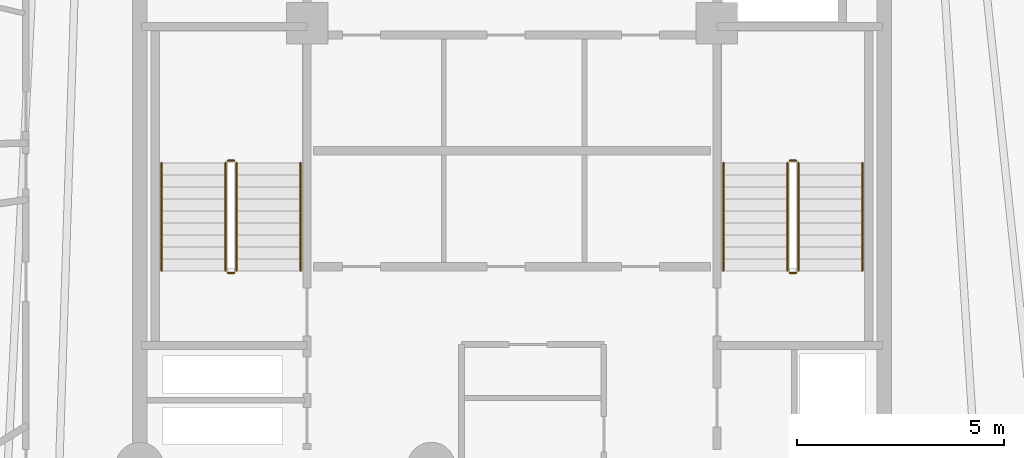
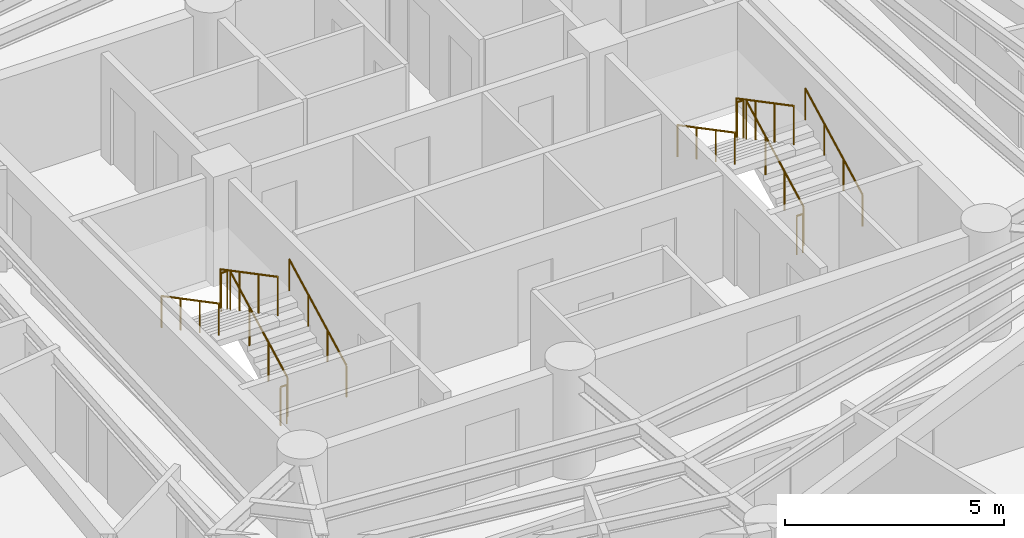
# One storey, part 7 of 7: 12 railings.
"""IFC4 building model written with IfcOpenShell, lengths in metres."""

from ifc_helpers import new_model, si_unit, direction, frame, origin, origin_2d, place, context, subcontext, project, spatial, circle, extrude, material, layer, layer_set, type_object, element, save


model = new_model("IFC4")

# Units and contexts
model_context = context("Model", 3, precision=1e-05, world=origin(), true_north=direction((0.0, 1.0)))
body_context = subcontext(model_context, "Body", "Model", "MODEL_VIEW")
ifc_project = project(units=[si_unit("LENGTHUNIT", "METRE"), si_unit("AREAUNIT", "SQUARE_METRE"), si_unit("VOLUMEUNIT", "CUBIC_METRE"), si_unit("PLANEANGLEUNIT", "RADIAN"), si_unit("MASSUNIT", "GRAM", prefix="KILO")], contexts=[model_context])

# Site, building, storey
site_placement = place(None, origin())
site = spatial("IfcSite", under=ifc_project, at=site_placement, CompositionType="ELEMENT")
building_placement = place(site_placement, origin())
building = spatial("IfcBuilding", under=site, at=building_placement, Name="Karkom Vertical University and Central Library", CompositionType="ELEMENT")
storey_placement = place(building_placement, frame((0.0, 0.0, 241.300048828125)))
storey = spatial("IfcBuildingStorey", under=building, at=storey_placement, Name="L71", CompositionType="ELEMENT", Elevation=241.300048828125)

# Railings
ifc_material_1 = material(Name="Painted galvanised steel balustrade", Category="steel")
ifc_layer_1 = layer(ifc_material_1, 0.06005859375)
ifc_layer_set_1 = layer_set([ifc_layer_1], Name="Painted galvanised steel balustrade")
railing_type_1 = type_object("IfcRailingType", Name="INT-RL-GUARD1100", PredefinedType="GUARDRAIL", material=ifc_layer_set_1)
railing_1_placement = place(storey_placement, frame((21.840087890625, 23.02001953125, 0.15234375)))
element("IfcRailing", 1, at=railing_1_placement, inside=storey, type_object=railing_type_1, Name="Level 71 ST-1 stair guard 1", PredefinedType="GUARDRAIL", context=body_context, shape_type="SweptSolid", body=[
    extrude(circle(Radius=0.02392578125, at=origin_2d()), frame((0.0, 0.0, 1.076171875), z_axis=(0.0, 0.885065446896, 0.46546659892), x_axis=(-1.0, 0.0, 0.0)), (0.0, 0.0, 1.0), 2.94873046875),
    extrude(circle(Radius=0.02099609375, at=origin_2d()), origin(), (0.0, 0.0, 1.0), 1.052001953125),
    extrude(circle(Radius=0.02099609375, at=origin_2d()), frame((0.0, 0.869873046875, 0.45751953125)), (0.0, 0.0, 1.0), 1.052001953125),
    extrude(circle(Radius=0.02099609375, at=origin_2d()), frame((0.0, 1.739990234375, 0.9150390625)), (0.0, 0.0, 1.0), 1.052001953125),
    extrude(circle(Radius=0.02099609375, at=origin_2d()), frame((0.0, 2.60986328125, 1.37255859375)), (0.0, 0.0, 1.0), 1.052001953125),
])
railing_2_placement = place(storey_placement, frame((21.7900390625, 25.679931640625, 1.52490234375)))
element("IfcRailing", 2, at=railing_2_placement, inside=storey, type_object=railing_type_1, Name="Level 71 ST-1 stair guard 2", PredefinedType="GUARDRAIL", context=body_context, shape_type="SweptSolid", body=[
    extrude(circle(Radius=0.02392578125, at=origin_2d()), frame((0.0, 0.0, 1.076171875), z_axis=(-1.0, 0.0, 0.0), x_axis=(0.0, -1.0, 0.0)), (0.0, 0.0, 1.0), 0.16015625),
    extrude(circle(Radius=0.02099609375, at=origin_2d()), origin(), (0.0, 0.0, 1.0), 1.052001953125),
    extrude(circle(Radius=0.02099609375, at=origin_2d()), frame((-0.16015625, 0.0, 0.0)), (0.0, 0.0, 1.0), 1.052001953125),
])
railing_3_placement = place(storey_placement, frame((21.580078125, 25.6298828125, 1.677490234375)))
element("IfcRailing", 3, at=railing_3_placement, inside=storey, type_object=railing_type_1, Name="Level 71 ST-1 stair guard 3", PredefinedType="GUARDRAIL", context=body_context, shape_type="SweptSolid", body=[
    extrude(circle(Radius=0.02392578125, at=origin_2d()), frame((0.0, 0.0, 1.076171875), z_axis=(0.0, -0.885065446896, 0.46546659892), x_axis=(1.0, 0.0, 0.0)), (0.0, 0.0, 1.0), 2.94873046875),
    extrude(circle(Radius=0.02099609375, at=origin_2d()), origin(), (0.0, 0.0, 1.0), 1.052001953125),
    extrude(circle(Radius=0.02099609375, at=origin_2d()), frame((0.0, -0.869873046875, 0.45751953125)), (0.0, 0.0, 1.0), 1.052001953125),
    extrude(circle(Radius=0.02099609375, at=origin_2d()), frame((0.0, -1.739990234375, 0.9150390625)), (0.0, 0.0, 1.0), 1.052001953125),
    extrude(circle(Radius=0.02099609375, at=origin_2d()), frame((0.0, -2.60986328125, 1.37255859375)), (0.0, 0.0, 1.0), 1.052001953125),
])
railing_4_placement = place(storey_placement, frame((21.7900390625, 22.969970703125, 0.0)))
element("IfcRailing", 4, at=railing_4_placement, inside=storey, type_object=railing_type_1, Name="Level 71 ST-1 stair guard 4", PredefinedType="GUARDRAIL", context=body_context, shape_type="SweptSolid", body=[
    extrude(circle(Radius=0.02392578125, at=origin_2d()), frame((0.0, 0.0, 1.076171875), z_axis=(-1.0, 0.0, 0.0), x_axis=(0.0, -1.0, 0.0)), (0.0, 0.0, 1.0), 0.16015625),
    extrude(circle(Radius=0.02099609375, at=origin_2d()), origin(), (0.0, 0.0, 1.0), 1.052001953125),
    extrude(circle(Radius=0.02099609375, at=origin_2d()), frame((-0.16015625, 0.0, 0.0)), (0.0, 0.0, 1.0), 1.052001953125),
])
railing_5_placement = place(storey_placement, frame((35.419921875, 23.02001953125, 0.15234375)))
element("IfcRailing", 5, at=railing_5_placement, inside=storey, type_object=railing_type_1, Name="Level 71 ST-2 stair guard 1", PredefinedType="GUARDRAIL", context=body_context, shape_type="SweptSolid", body=[
    extrude(circle(Radius=0.02392578125, at=origin_2d()), frame((0.0, 0.0, 1.076171875), z_axis=(0.0, 0.885065446896, 0.46546659892), x_axis=(-1.0, 0.0, 0.0)), (0.0, 0.0, 1.0), 2.94873046875),
    extrude(circle(Radius=0.02099609375, at=origin_2d()), origin(), (0.0, 0.0, 1.0), 1.052001953125),
    extrude(circle(Radius=0.02099609375, at=origin_2d()), frame((0.0, 0.869873046875, 0.45751953125)), (0.0, 0.0, 1.0), 1.052001953125),
    extrude(circle(Radius=0.02099609375, at=origin_2d()), frame((0.0, 1.739990234375, 0.9150390625)), (0.0, 0.0, 1.0), 1.052001953125),
    extrude(circle(Radius=0.02099609375, at=origin_2d()), frame((0.0, 2.60986328125, 1.37255859375)), (0.0, 0.0, 1.0), 1.052001953125),
])
railing_6_placement = place(storey_placement, frame((35.3701171875, 25.679931640625, 1.52490234375)))
element("IfcRailing", 6, at=railing_6_placement, inside=storey, type_object=railing_type_1, Name="Level 71 ST-2 stair guard 2", PredefinedType="GUARDRAIL", context=body_context, shape_type="SweptSolid", body=[
    extrude(circle(Radius=0.02392578125, at=origin_2d()), frame((0.0, 0.0, 1.076171875), z_axis=(-1.0, 0.0, 0.0), x_axis=(0.0, -1.0, 0.0)), (0.0, 0.0, 1.0), 0.16015625),
    extrude(circle(Radius=0.02099609375, at=origin_2d()), origin(), (0.0, 0.0, 1.0), 1.052001953125),
    extrude(circle(Radius=0.02099609375, at=origin_2d()), frame((-0.16015625, 0.0, 0.0)), (0.0, 0.0, 1.0), 1.052001953125),
])
railing_7_placement = place(storey_placement, frame((35.159912109375, 25.6298828125, 1.677490234375)))
element("IfcRailing", 7, at=railing_7_placement, inside=storey, type_object=railing_type_1, Name="Level 71 ST-2 stair guard 3", PredefinedType="GUARDRAIL", context=body_context, shape_type="SweptSolid", body=[
    extrude(circle(Radius=0.02392578125, at=origin_2d()), frame((0.0, 0.0, 1.076171875), z_axis=(0.0, -0.885065446896, 0.46546659892), x_axis=(1.0, 0.0, 0.0)), (0.0, 0.0, 1.0), 2.94873046875),
    extrude(circle(Radius=0.02099609375, at=origin_2d()), origin(), (0.0, 0.0, 1.0), 1.052001953125),
    extrude(circle(Radius=0.02099609375, at=origin_2d()), frame((0.0, -0.869873046875, 0.45751953125)), (0.0, 0.0, 1.0), 1.052001953125),
    extrude(circle(Radius=0.02099609375, at=origin_2d()), frame((0.0, -1.739990234375, 0.9150390625)), (0.0, 0.0, 1.0), 1.052001953125),
    extrude(circle(Radius=0.02099609375, at=origin_2d()), frame((0.0, -2.60986328125, 1.37255859375)), (0.0, 0.0, 1.0), 1.052001953125),
])
railing_8_placement = place(storey_placement, frame((35.3701171875, 22.969970703125, 0.0)))
element("IfcRailing", 8, at=railing_8_placement, inside=storey, type_object=railing_type_1, Name="Level 71 ST-2 stair guard 4", PredefinedType="GUARDRAIL", context=body_context, shape_type="SweptSolid", body=[
    extrude(circle(Radius=0.02392578125, at=origin_2d()), frame((0.0, 0.0, 1.076171875), z_axis=(-1.0, 0.0, 0.0), x_axis=(0.0, -1.0, 0.0)), (0.0, 0.0, 1.0), 0.16015625),
    extrude(circle(Radius=0.02099609375, at=origin_2d()), origin(), (0.0, 0.0, 1.0), 1.052001953125),
    extrude(circle(Radius=0.02099609375, at=origin_2d()), frame((-0.16015625, 0.0, 0.0)), (0.0, 0.0, 1.0), 1.052001953125),
])
ifc_material_2 = material(Name="Brushed stainless-steel tubular handrail", Category="steel")
ifc_layer_2 = layer(ifc_material_2, 0.048095703125)
ifc_layer_set_2 = layer_set([ifc_layer_2], Name="Brushed stainless-steel tubular handrail")
railing_type_2 = type_object("IfcRailingType", Name="INT-RL-HAND920", PredefinedType="HANDRAIL", material=ifc_layer_set_2)
railing_9_placement = place(storey_placement, frame((23.389892578125, 23.02001953125, 0.15234375)))
element("IfcRailing", 9, at=railing_9_placement, inside=storey, type_object=railing_type_2, Name="Level 71 ST-1 stair handrail 1", PredefinedType="HANDRAIL", context=body_context, shape_type="SweptSolid", body=[
    extrude(circle(Radius=0.02392578125, at=origin_2d()), frame((0.0, 0.0, 0.8759765625), z_axis=(0.0, 0.885065446896, 0.46546659892), x_axis=(-1.0, 0.0, 0.0)), (0.0, 0.0, 1.0), 2.94873046875),
    extrude(circle(Radius=0.02099609375, at=origin_2d()), origin(), (0.0, 0.0, 1.0), 0.851806640625),
    extrude(circle(Radius=0.02099609375, at=origin_2d()), frame((0.0, 0.869873046875, 0.45751953125)), (0.0, 0.0, 1.0), 0.851806640625),
    extrude(circle(Radius=0.02099609375, at=origin_2d()), frame((0.0, 1.739990234375, 0.9150390625)), (0.0, 0.0, 1.0), 0.851806640625),
    extrude(circle(Radius=0.02099609375, at=origin_2d()), frame((0.0, 2.60986328125, 1.37255859375)), (0.0, 0.0, 1.0), 0.851806640625),
])
railing_10_placement = place(storey_placement, frame((20.030029296875, 25.6298828125, 1.677490234375)))
element("IfcRailing", 10, at=railing_10_placement, inside=storey, type_object=railing_type_2, Name="Level 71 ST-1 stair handrail 2", PredefinedType="HANDRAIL", context=body_context, shape_type="SweptSolid", body=[
    extrude(circle(Radius=0.02392578125, at=origin_2d()), frame((0.0, 0.0, 0.8759765625), z_axis=(0.0, -0.885065446896, 0.46546659892), x_axis=(1.0, 0.0, 0.0)), (0.0, 0.0, 1.0), 2.94873046875),
    extrude(circle(Radius=0.02099609375, at=origin_2d()), origin(), (0.0, 0.0, 1.0), 0.851806640625),
    extrude(circle(Radius=0.02099609375, at=origin_2d()), frame((0.0, -0.869873046875, 0.45751953125)), (0.0, 0.0, 1.0), 0.851806640625),
    extrude(circle(Radius=0.02099609375, at=origin_2d()), frame((0.0, -1.739990234375, 0.9150390625)), (0.0, 0.0, 1.0), 0.851806640625),
    extrude(circle(Radius=0.02099609375, at=origin_2d()), frame((0.0, -2.60986328125, 1.37255859375)), (0.0, 0.0, 1.0), 0.851806640625),
])
railing_11_placement = place(storey_placement, frame((36.969970703125, 23.02001953125, 0.15234375)))
element("IfcRailing", 11, at=railing_11_placement, inside=storey, type_object=railing_type_2, Name="Level 71 ST-2 stair handrail 1", PredefinedType="HANDRAIL", context=body_context, shape_type="SweptSolid", body=[
    extrude(circle(Radius=0.02392578125, at=origin_2d()), frame((0.0, 0.0, 0.8759765625), z_axis=(0.0, 0.885065446896, 0.46546659892), x_axis=(-1.0, 0.0, 0.0)), (0.0, 0.0, 1.0), 2.94873046875),
    extrude(circle(Radius=0.02099609375, at=origin_2d()), origin(), (0.0, 0.0, 1.0), 0.851806640625),
    extrude(circle(Radius=0.02099609375, at=origin_2d()), frame((0.0, 0.869873046875, 0.45751953125)), (0.0, 0.0, 1.0), 0.851806640625),
    extrude(circle(Radius=0.02099609375, at=origin_2d()), frame((0.0, 1.739990234375, 0.9150390625)), (0.0, 0.0, 1.0), 0.851806640625),
    extrude(circle(Radius=0.02099609375, at=origin_2d()), frame((0.0, 2.60986328125, 1.37255859375)), (0.0, 0.0, 1.0), 0.851806640625),
])
railing_12_placement = place(storey_placement, frame((33.610107421875, 25.6298828125, 1.677490234375)))
element("IfcRailing", 12, at=railing_12_placement, inside=storey, type_object=railing_type_2, Name="Level 71 ST-2 stair handrail 2", PredefinedType="HANDRAIL", context=body_context, shape_type="SweptSolid", body=[
    extrude(circle(Radius=0.02392578125, at=origin_2d()), frame((0.0, 0.0, 0.8759765625), z_axis=(0.0, -0.885065446896, 0.46546659892), x_axis=(1.0, 0.0, 0.0)), (0.0, 0.0, 1.0), 2.94873046875),
    extrude(circle(Radius=0.02099609375, at=origin_2d()), origin(), (0.0, 0.0, 1.0), 0.851806640625),
    extrude(circle(Radius=0.02099609375, at=origin_2d()), frame((0.0, -0.869873046875, 0.45751953125)), (0.0, 0.0, 1.0), 0.851806640625),
    extrude(circle(Radius=0.02099609375, at=origin_2d()), frame((0.0, -1.739990234375, 0.9150390625)), (0.0, 0.0, 1.0), 0.851806640625),
    extrude(circle(Radius=0.02099609375, at=origin_2d()), frame((0.0, -2.60986328125, 1.37255859375)), (0.0, 0.0, 1.0), 0.851806640625),
])

save(model, "model.ifc")
